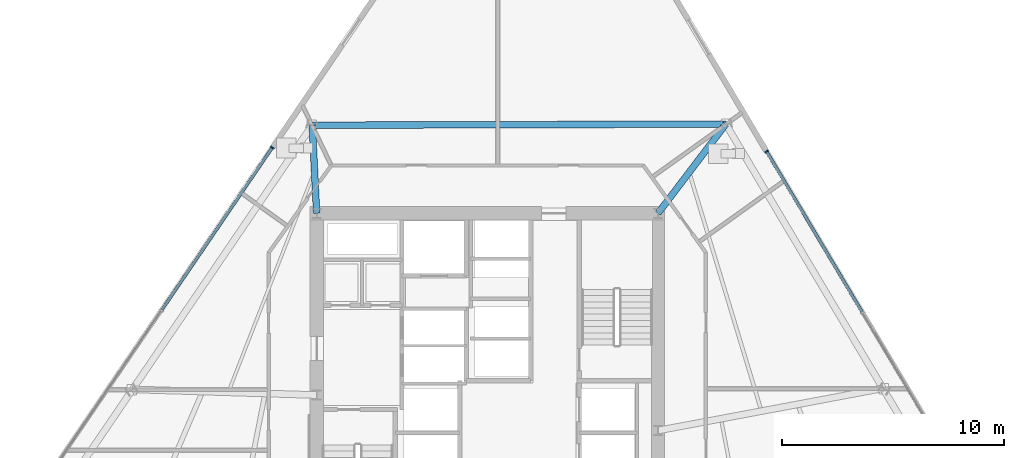
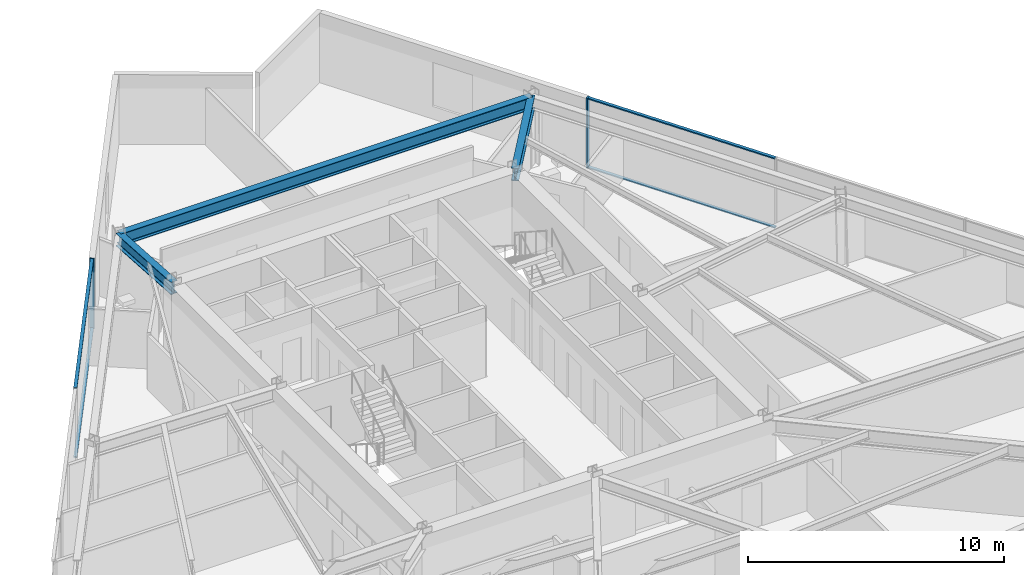
# One storey, part 7 of 16: 6 members, 3 beams, 2 elements without a shape of their own.
"""IFC4 building model written with IfcOpenShell, lengths in metres."""

from ifc_helpers import new_model, si_unit, direction, frame, origin, origin_2d, place, context, subcontext, project, spatial, rectangle, i_section, extrude, material, material_profile, profile_set, type_object, element, aggregate, save


model = new_model("IFC4")

# Units and contexts
model_context = context("Model", 3, precision=1e-05, world=origin(), true_north=direction((0.0, 1.0)))
body_context = subcontext(model_context, "Body", "Model", "MODEL_VIEW")
ifc_project = project(units=[si_unit("LENGTHUNIT", "METRE"), si_unit("AREAUNIT", "SQUARE_METRE"), si_unit("VOLUMEUNIT", "CUBIC_METRE"), si_unit("PLANEANGLEUNIT", "RADIAN"), si_unit("MASSUNIT", "GRAM", prefix="KILO")], contexts=[model_context])

# Site, building, storey
site_placement = place(None, origin())
site = spatial("IfcSite", under=ifc_project, at=site_placement, CompositionType="ELEMENT")
building_placement = place(site_placement, origin())
building = spatial("IfcBuilding", under=site, at=building_placement, Name="Savorim Split Tower", CompositionType="ELEMENT")
storey_placement = place(building_placement, frame((0.0, 0.0, 33.60009765625)))
storey = spatial("IfcBuildingStorey", under=building, at=storey_placement, Name="L08", CompositionType="ELEMENT", Elevation=33.60009765625)

# Beams
ifc_material_1 = material(Name="Steel S355", Category="steel")
ifc_material_profile_1 = material_profile(ifc_material_1, i_section(OverallWidth=0.300048828125, OverallDepth=0.60009765625, WebThickness=0.015380859375, FlangeThickness=0.030029296875, FilletRadius=0.027099609375, at=origin_2d()), Name="HEB 600")
ifc_profile_set_1 = profile_set([ifc_material_profile_1], Name="Steel S355")
beam_type_1 = type_object("IfcBeamType", Name="BM-PRI-HEB600", PredefinedType="BEAM", material=ifc_profile_set_1)
beam_1_placement = place(storey_placement, frame((10.759033203125, 14.22314453125, 3.0498046875), z_axis=(-0.605265743872, -0.796023479111, 0.0), x_axis=(0.796023479111, -0.605265743872, 0.0)))
element("IfcBeam", 1, at=beam_1_placement, inside=storey, type_object=beam_type_1, Name="L08 Primary Floor Girder RG-07", PredefinedType="BEAM", context=body_context, shape_type="SweptSolid", body=[
    extrude(i_section(OverallWidth=0.300048828125, OverallDepth=0.60009765625, WebThickness=0.015380859375, FlangeThickness=0.030029296875, FilletRadius=0.027099609375, at=origin_2d()), origin(), (0.0, 0.0, 1.0), 5.05419921875),
])
beam_2_placement = place(storey_placement, frame((-7.897705078125, 14.17431640625, 3.0498046875), z_axis=(0.049695875745, -0.998764396609, 0.0), x_axis=(0.998764396609, 0.049695875745, 0.0)))
element("IfcBeam", 2, at=beam_2_placement, inside=storey, type_object=beam_type_1, Name="L08 Primary Floor Girder RG-08", PredefinedType="BEAM", context=body_context, shape_type="SweptSolid", body=[
    extrude(i_section(OverallWidth=0.300048828125, OverallDepth=0.60009765625, WebThickness=0.015380859375, FlangeThickness=0.030029296875, FilletRadius=0.027099609375, at=origin_2d()), origin(), (0.0, 0.0, 1.0), 3.979248046875),
])
ifc_material_profile_2 = material_profile(ifc_material_1, i_section(OverallWidth=0.300048828125, OverallDepth=0.590087890625, WebThickness=0.012939453125, FlangeThickness=0.02490234375, FilletRadius=0.027099609375, at=origin_2d()), Name="HEA 600")
ifc_profile_set_2 = profile_set([ifc_material_profile_2], Name="Steel S355")
beam_type_2 = type_object("IfcBeamType", Name="BM-SPN-HEA600", PredefinedType="SPANDREL", material=ifc_profile_set_2)
beam_3_placement = place(storey_placement, frame((10.759033203125, 14.22314453125, 3.054931640625), z_axis=(-0.99999657519, -0.00261717547, 0.0), x_axis=(0.00261717547, -0.99999657519, 0.0)))
element("IfcBeam", 3, at=beam_3_placement, inside=storey, type_object=beam_type_2, Name="L08 Perimeter Spandrel Beam 7", PredefinedType="SPANDREL", context=body_context, shape_type="SweptSolid", body=[
    extrude(i_section(OverallWidth=0.300048828125, OverallDepth=0.590087890625, WebThickness=0.012939453125, FlangeThickness=0.02490234375, FilletRadius=0.027099609375, at=origin_2d()), origin(), (0.0, 0.0, 1.0), 18.65673828125),
])

# Curtain wall, member
ifc_material_2 = material(Name="Dark Ceramic-Fritted Insulated Glass", Category="glass")
curtain_wall_type = type_object("IfcCurtainWallType", Name="CW-TWR-FRIT-A", PredefinedType="NOTDEFINED", material=ifc_material_2)
curtain_wall_1_placement = place(storey_placement, origin())
curtain_wall_1 = element("IfcCurtainWall", 4, at=curtain_wall_1_placement, inside=storey, type_object=curtain_wall_type, Name="L08 Curtain Wall CW-L08-EAST", PredefinedType="NOTDEFINED")
ifc_material_3 = material(Name="Charcoal Anodised Aluminium", Category="aluminium")
ifc_material_profile_3 = material_profile(ifc_material_3, rectangle(XDim=0.179931640625, YDim=0.06494140625, at=origin_2d()), Name="ALU-M 180x65")
ifc_profile_set_3 = profile_set([ifc_material_profile_3], Name="Charcoal Anodised Aluminium")
member_type_1 = type_object("IfcMemberType", Name="CWM-180x65", PredefinedType="MULLION", material=ifc_profile_set_3)
member_1_placement = place(storey_placement, frame((12.599609375, 12.991455078125, 0.0), z_axis=(0.0, 0.0, 1.0), x_axis=(-0.859525752007, -0.511092439425, 0.0)))
member_1 = element("IfcMember", 5, at=member_1_placement, type_object=member_type_1, Name="CW-02 mullion 5", PredefinedType="MULLION", context=body_context, shape_type="SweptSolid", body=[
    extrude(rectangle(XDim=0.179931640625, YDim=0.06494140625, at=origin_2d()), origin(), (0.0, 0.0, 1.0), 3.349853515625),
])

curtain_wall_2_placement = place(storey_placement, origin())
curtain_wall_2 = element("IfcCurtainWall", 6, at=curtain_wall_2_placement, inside=storey, type_object=curtain_wall_type, Name="L08 Curtain Wall CW-L08-WEST", PredefinedType="NOTDEFINED")
member_2_placement = place(storey_placement, frame((-9.702392578125, 13.1640625, 0.0), z_axis=(0.0, 0.0, 1.0), x_axis=(0.826820923165, -0.562465253164, 0.0)))
member_2 = element("IfcMember", 7, at=member_2_placement, type_object=member_type_1, Name="CW-02 mullion 1", PredefinedType="MULLION", context=body_context, shape_type="SweptSolid", body=[
    extrude(rectangle(XDim=0.179931640625, YDim=0.06494140625, at=origin_2d()), origin(), (0.0, 0.0, 1.0), 3.349853515625),
])

# Member
ifc_material_profile_4 = material_profile(ifc_material_3, rectangle(XDim=0.139892578125, YDim=0.054931640625, at=origin_2d()), Name="ALU-T 140x55")
ifc_profile_set_4 = profile_set([ifc_material_profile_4], Name="Charcoal Anodised Aluminium")
member_type_2 = type_object("IfcMemberType", Name="CWT-140x55", PredefinedType="USERDEFINED", material=ifc_profile_set_4)
member_3_placement = place(storey_placement, frame((16.90673828125, 5.748046875, 0.02734375), z_axis=(-0.511091652485, 0.859526219938, 0.0), x_axis=(-0.859526219938, -0.511091652485, 0.0)))
member_3 = element("IfcMember", 8, at=member_3_placement, type_object=member_type_2, Name="CW-02 transom 4.1", ObjectType="TRANSOM", PredefinedType="USERDEFINED", context=body_context, shape_type="SweptSolid", body=[
    extrude(rectangle(XDim=0.139892578125, YDim=0.054931640625, at=origin_2d()), origin(), (0.0, 0.0, 1.0), 8.394775390625),
])

member_4_placement = place(storey_placement, frame((16.90673828125, 5.748046875, 3.322509765625), z_axis=(-0.511091652485, 0.859526219938, 0.0), x_axis=(-0.859526219938, -0.511091652485, 0.0)))
member_4 = element("IfcMember", 9, at=member_4_placement, type_object=member_type_2, Name="CW-02 transom 4.2", ObjectType="TRANSOM", PredefinedType="USERDEFINED", context=body_context, shape_type="SweptSolid", body=[
    extrude(rectangle(XDim=0.139892578125, YDim=0.054931640625, at=origin_2d()), origin(), (0.0, 0.0, 1.0), 8.394775390625),
])

aggregate(curtain_wall_1, [member_1, member_3, member_4])

member_5_placement = place(storey_placement, frame((-9.720458984375, 13.13720703125, 0.02734375), z_axis=(-0.562479559143, -0.82681119099, 0.0), x_axis=(0.82681119099, -0.562479559143, 0.0)))
member_5 = element("IfcMember", 10, at=member_5_placement, type_object=member_type_2, Name="CW-02 transom 1.1", ObjectType="TRANSOM", PredefinedType="USERDEFINED", context=body_context, shape_type="SweptSolid", body=[
    extrude(rectangle(XDim=0.139892578125, YDim=0.054931640625, at=origin_2d()), origin(), (0.0, 0.0, 1.0), 8.822265625),
])

member_6_placement = place(storey_placement, frame((-9.720458984375, 13.13720703125, 3.322509765625), z_axis=(-0.562479559143, -0.82681119099, 0.0), x_axis=(0.82681119099, -0.562479559143, 0.0)))
member_6 = element("IfcMember", 11, at=member_6_placement, type_object=member_type_2, Name="CW-02 transom 1.2", ObjectType="TRANSOM", PredefinedType="USERDEFINED", context=body_context, shape_type="SweptSolid", body=[
    extrude(rectangle(XDim=0.139892578125, YDim=0.054931640625, at=origin_2d()), origin(), (0.0, 0.0, 1.0), 8.822265625),
])

aggregate(curtain_wall_2, [member_2, member_5, member_6])

save(model, "model.ifc")
